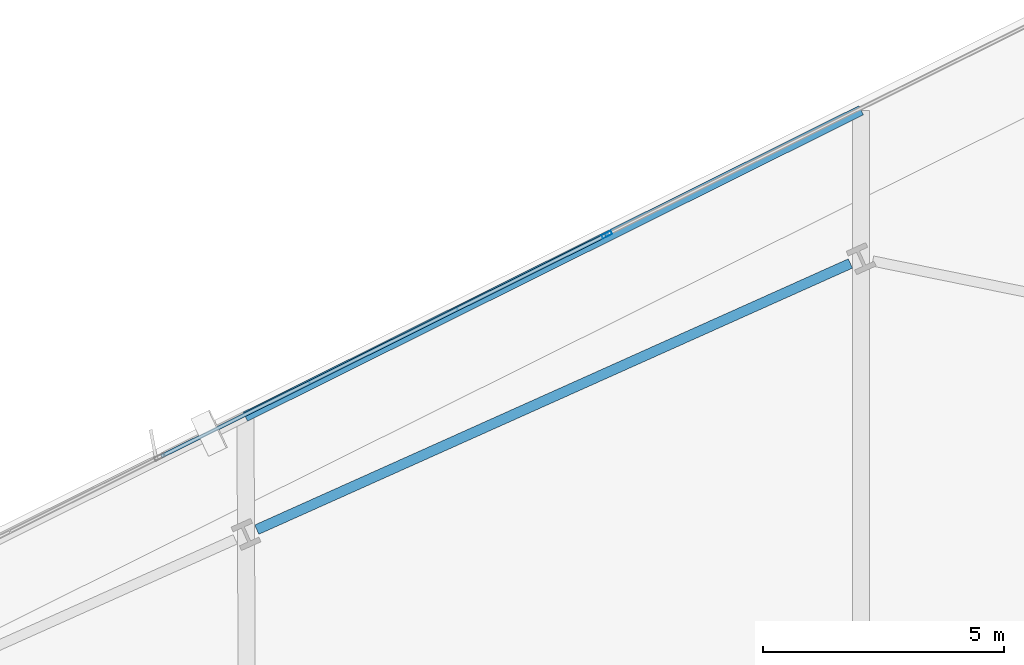
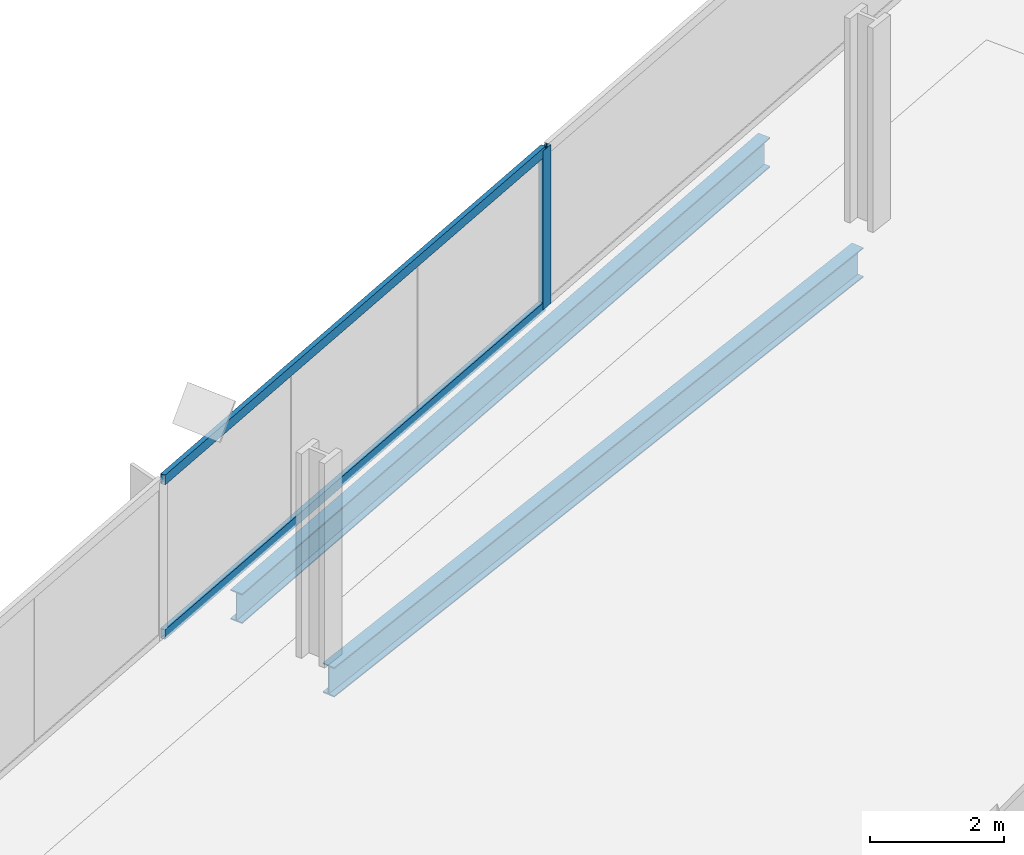
# One storey, part 18 of 35: 3 members, 2 beams, 1 element without a shape of its own.
"""IFC4 building model written with IfcOpenShell, lengths in metres."""

from ifc_helpers import new_model, si_unit, direction, frame, origin, origin_2d, place, context, subcontext, project, spatial, hollow_rectangle, i_section, extrude, material, material_profile, profile_set, type_object, element, aggregate, save


model = new_model("IFC4")

# Units and contexts
model_context = context("Model", 3, precision=1e-05, world=origin(), true_north=direction((0.0, 1.0)))
body_context = subcontext(model_context, "Body", "Model", "MODEL_VIEW")
ifc_project = project(units=[si_unit("LENGTHUNIT", "METRE"), si_unit("AREAUNIT", "SQUARE_METRE"), si_unit("VOLUMEUNIT", "CUBIC_METRE"), si_unit("PLANEANGLEUNIT", "RADIAN"), si_unit("MASSUNIT", "GRAM", prefix="KILO")], contexts=[model_context])

# Site, building, storey
site_placement = place(None, origin())
site = spatial("IfcSite", under=ifc_project, at=site_placement, CompositionType="ELEMENT")
building_placement = place(site_placement, origin())
building = spatial("IfcBuilding", under=site, at=building_placement, Name="Haldenkirk Collegiate Tower", CompositionType="ELEMENT")
storey_placement = place(building_placement, frame((0.0, 0.0, 116.699951171875)))
storey = spatial("IfcBuildingStorey", under=building, at=storey_placement, Name="L28", CompositionType="ELEMENT", Elevation=116.699951171875)

# Beams
ifc_material_1 = material(Name="Steel ASTM A992 Grade 50", Category="steel")
ifc_material_profile_1 = material_profile(ifc_material_1, i_section(OverallWidth=0.2119140625, OverallDepth=0.5439453125, WebThickness=0.01318359375, FlangeThickness=0.021240234375, at=origin_2d()), Name="W21X83")
ifc_profile_set_1 = profile_set([ifc_material_profile_1], Name="Steel ASTM A992 Grade 50")
beam_type = type_object("IfcBeamType", Name="BM-SPANDREL-W21X83", PredefinedType="SPANDREL", material=ifc_profile_set_1)
beam_1_placement = place(storey_placement, frame((39.4921875, 51.84033203125, -0.572021484375), z_axis=(-0.912476765144, -0.409128528793, 0.0), x_axis=(0.409128528793, -0.912476765144, 0.0)))
element("IfcBeam", 1, at=beam_1_placement, inside=storey, type_object=beam_type, Name="L28 perimeter spandrel beam 10", PredefinedType="SPANDREL", context=body_context, shape_type="SweptSolid", body=[
    extrude(i_section(OverallWidth=0.2119140625, OverallDepth=0.5439453125, WebThickness=0.01318359375, FlangeThickness=0.021240234375, at=origin_2d()), origin(), (0.0, 0.0, 1.0), 13.512939453125),
])
beam_2_placement = place(storey_placement, frame((39.71630859375, 55.023193359375, -0.572021484375), z_axis=(-0.895327670502, -0.44540808528, 0.0), x_axis=(0.44540808528, -0.895327670502, 0.0)))
element("IfcBeam", 2, at=beam_2_placement, inside=storey, type_object=beam_type, Name="L28 outer facade edge beam 3A", PredefinedType="SPANDREL", context=body_context, shape_type="SweptSolid", body=[
    extrude(i_section(OverallWidth=0.2119140625, OverallDepth=0.5439453125, WebThickness=0.01318359375, FlangeThickness=0.021240234375, at=origin_2d()), origin(), (0.0, 0.0, 1.0), 14.286376953125),
])

# Curtain wall, members
ifc_material_2 = material(Name="Anodised architectural bronze aluminium", Category="aluminium")
curtain_wall_type = type_object("IfcCurtainWallType", Name="CW-SYS1-CONVEX-LOW", PredefinedType="USERDEFINED", material=ifc_material_2)
curtain_wall_placement = place(storey_placement, origin())
curtain_wall = element("IfcCurtainWall", 3, at=curtain_wall_placement, inside=storey, type_object=curtain_wall_type, Name="L28 Lower tower convex bronze-framed unitised curtain wall", ObjectType="UNITISED CURTAIN WALL", PredefinedType="USERDEFINED")
ifc_material_profile_2 = material_profile(ifc_material_2, hollow_rectangle(XDim=0.080078125, YDim=0.219970703125, WallThickness=0.0048828125, at=origin_2d()), Name="CW-MUL-1A")
ifc_profile_set_2 = profile_set([ifc_material_profile_2], Name="Anodised architectural bronze aluminium")
member_type_1 = type_object("IfcMemberType", Name="CW-MUL-1A", PredefinedType="MULLION", material=ifc_profile_set_2)
member_1_placement = place(storey_placement, frame((34.434326171875, 52.440185546875, 0.0), z_axis=(0.0, 0.0, 1.0), x_axis=(-0.445417030937, 0.895323220156, 0.0)))
member_1 = element("IfcMember", 4, at=member_1_placement, type_object=member_type_1, Name="CW-1A mullion 4", PredefinedType="MULLION", context=body_context, shape_type="SweptSolid", body=[
    extrude(hollow_rectangle(XDim=0.080078125, YDim=0.219970703125, WallThickness=0.0048828125, at=origin_2d()), origin(), (0.0, 0.0, 1.0), 2.901123046875),
])
ifc_material_profile_3 = material_profile(ifc_material_2, hollow_rectangle(XDim=0.080078125, YDim=0.179931640625, WallThickness=0.0048828125, at=origin_2d()), Name="CW-TRN-1A")
ifc_profile_set_3 = profile_set([ifc_material_profile_3], Name="Anodised architectural bronze aluminium")
member_type_2 = type_object("IfcMemberType", Name="CW-TRN-1A", PredefinedType="USERDEFINED", material=ifc_profile_set_3)
member_2_placement = place(storey_placement, frame((25.18115234375, 47.8369140625, 0.0400390625), z_axis=(0.895326535473, 0.445410366829, 0.0), x_axis=(-0.445410366829, 0.895326535473, 0.0)))
member_2 = element("IfcMember", 5, at=member_2_placement, type_object=member_type_2, Name="CW-1A transom 3.1", ObjectType="TRANSOM", PredefinedType="USERDEFINED", context=body_context, shape_type="SweptSolid", body=[
    extrude(hollow_rectangle(XDim=0.080078125, YDim=0.179931640625, WallThickness=0.0048828125, at=origin_2d()), origin(), (0.0, 0.0, 1.0), 10.294921875),
])
member_3_placement = place(storey_placement, frame((25.18115234375, 47.8369140625, 2.861083984375), z_axis=(0.895326535473, 0.445410366829, 0.0), x_axis=(-0.445410366829, 0.895326535473, 0.0)))
member_3 = element("IfcMember", 6, at=member_3_placement, type_object=member_type_2, Name="CW-1A transom 3.2", ObjectType="TRANSOM", PredefinedType="USERDEFINED", context=body_context, shape_type="SweptSolid", body=[
    extrude(hollow_rectangle(XDim=0.080078125, YDim=0.179931640625, WallThickness=0.0048828125, at=origin_2d()), origin(), (0.0, 0.0, 1.0), 10.294921875),
])
aggregate(curtain_wall, [member_1, member_2, member_3])

save(model, "model.ifc")
